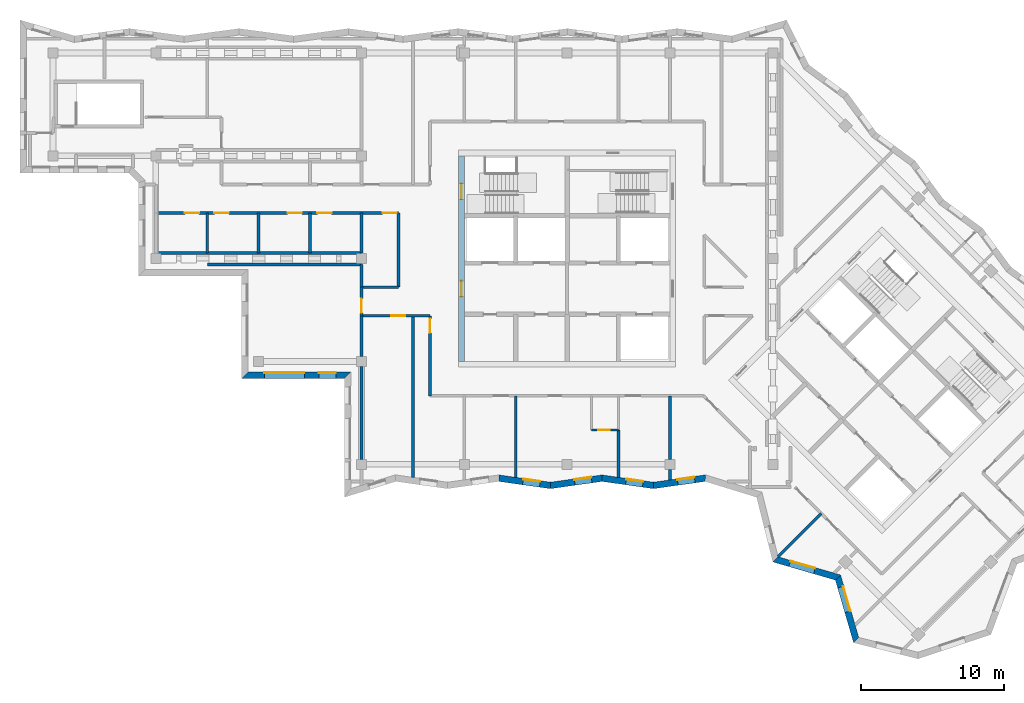
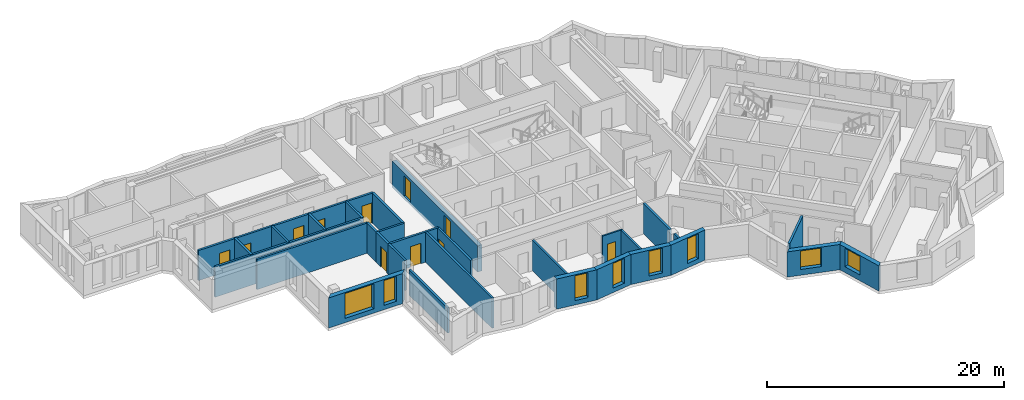
# One storey, part 3 of 12: 30 walls, 11 doors, 8 windows, 19 openings.
"""IFC4 building model written with IfcOpenShell, lengths in metres."""

from ifc_helpers import new_model, si_unit, direction, frame, frame_2d, origin, place, context, subcontext, project, spatial, polyline, rectangle, outline, extrude, material, layer, layer_set, type_object, element, fill, save


model = new_model("IFC4")

# Units and contexts
model_context = context("Model", 3, precision=1e-05, world=origin(), true_north=direction((0.0, 1.0)))
body_context = subcontext(model_context, "Body", "Model", "MODEL_VIEW")
ifc_project = project(units=[si_unit("LENGTHUNIT", "METRE"), si_unit("AREAUNIT", "SQUARE_METRE"), si_unit("VOLUMEUNIT", "CUBIC_METRE"), si_unit("PLANEANGLEUNIT", "RADIAN"), si_unit("MASSUNIT", "GRAM", prefix="KILO")], contexts=[model_context])

# Site, building, storey
site_placement = place(None, origin())
site = spatial("IfcSite", under=ifc_project, at=site_placement, CompositionType="ELEMENT")
building_placement = place(site_placement, origin())
building = spatial("IfcBuilding", under=site, at=building_placement, Name="Windrow Commons", CompositionType="ELEMENT")
storey_placement = place(building_placement, frame((0.0, 0.0, 267.6)))
storey = spatial("IfcBuildingStorey", under=building, at=storey_placement, Name="L73", CompositionType="ELEMENT", Elevation=267.6)

# Wall, openings, windows
ifc_material_1 = material(Name="Brick masonry, red clay brick", Category="masonry")
ifc_layer_1 = layer(ifc_material_1, 0.45)
ifc_layer_set_1 = layer_set([ifc_layer_1], Name="Brick facade wall 450")
wall_type_1 = type_object("IfcWallType", Name="Brick facade wall 450", PredefinedType="SOLIDWALL", material=ifc_layer_set_1)
wall_1_placement = place(storey_placement, frame((42.225, 49.425, 0.0), z_axis=(0.0, 0.0, 1.0), x_axis=(1.0, 0.0, 0.0)))
wall_1 = element("IfcWall", 1, at=wall_1_placement, inside=storey, type_object=wall_type_1, Name="Brick facade wall L73 37", PredefinedType="SOLIDWALL", context=body_context, shape_type="SweptSolid", body=[
    extrude(outline(polyline([(-0.225, -0.225), (6.975, -0.225), (7.425, 0.225), (0.225, 0.225), (-0.225, -0.225)])), origin(), (0.0, 0.0, 1.0), 3.1),
])
opening_1_placement = place(wall_1_placement, frame((1.375, 0.0, 0.45)))
opening_1 = element("IfcOpeningElement", 2, at=opening_1_placement, cuts=wall_1, Name="Opening W1V", PredefinedType="OPENING", context=body_context, shape_type="SweptSolid", body=[
    extrude(rectangle(XDim=2.8, YDim=2.55, at=frame_2d((1.4, 1.275))), frame((0.0, 0.235, 0.0), z_axis=(0.0, -1.0, 0.0), x_axis=(1.0, 0.0, 0.0)), (0.0, 0.0, 1.0), 0.47),
])
opening_2_placement = place(wall_1_placement, frame((5.1875, 0.0, 0.45)))
opening_2 = element("IfcOpeningElement", 3, at=opening_2_placement, cuts=wall_1, Name="Opening W7F", PredefinedType="OPENING", context=body_context, shape_type="SweptSolid", body=[
    extrude(rectangle(XDim=1.2, YDim=2.55, at=frame_2d((0.6, 1.275))), frame((0.0, 0.235, 0.0), z_axis=(0.0, -1.0, 0.0), x_axis=(1.0, 0.0, 0.0)), (0.0, 0.0, 1.0), 0.47),
])
ifc_material_2 = material(Name="Clear float glass in anodised aluminium frame", Category="aluminium")
window_type_1 = type_object("IfcWindowType", Name="Window W1V bedroom 2800x2550", PartitioningType="SINGLE_PANEL", PredefinedType="WINDOW", material=ifc_material_2)
window_1_placement = place(opening_1_placement, origin())
window_1 = element("IfcWindow", 4, at=window_1_placement, inside=storey, type_object=window_type_1, Name="Window L73 37.1", OverallHeight=2.55, OverallWidth=2.8, PartitioningType="SINGLE_PANEL", PredefinedType="WINDOW", context=body_context, shape_type="SweptSolid", body=[
    extrude(rectangle(XDim=2.8, YDim=2.55, at=frame_2d((1.4, 1.275))), frame((0.0, 0.205, 0.0), z_axis=(0.0, -1.0, 0.0), x_axis=(1.0, 0.0, 0.0)), (0.0, 0.0, 1.0), 0.06),
])
fill(opening_1, window_1)
ifc_material_3 = material(Name="Clear float glass in anodised aluminium frame", Category="aluminium")
window_type_2 = type_object("IfcWindowType", Name="Window W7 notch 1200x2550", PartitioningType="SINGLE_PANEL", PredefinedType="WINDOW", material=ifc_material_3)
window_2_placement = place(opening_2_placement, origin())
window_2 = element("IfcWindow", 5, at=window_2_placement, inside=storey, type_object=window_type_2, Name="Window L73 37.2", OverallHeight=2.55, OverallWidth=1.2, PartitioningType="SINGLE_PANEL", PredefinedType="WINDOW", context=body_context, shape_type="SweptSolid", body=[
    extrude(rectangle(XDim=1.2, YDim=2.55, at=frame_2d((0.6, 1.275))), frame((0.0, 0.205, 0.0), z_axis=(0.0, -1.0, 0.0), x_axis=(1.0, 0.0, 0.0)), (0.0, 0.0, 1.0), 0.06),
])
fill(opening_2, window_2)

# Wall, opening, window
wall_2_placement = place(storey_placement, frame((60.0255, 42.2273, 0.0), z_axis=(0.0, 0.0, 1.0), x_axis=(0.9900829488, -0.1404840012, 0.0)))
wall_2 = element("IfcWall", 6, at=wall_2_placement, inside=storey, type_object=wall_type_1, Name="Brick facade wall L73 42", PredefinedType="SOLIDWALL", context=body_context, shape_type="SweptSolid", body=[
    extrude(outline(polyline([(0.0319, -0.225), (3.6766, -0.225), (3.6127, 0.225), (-0.0319, 0.225), (0.0319, -0.225)])), origin(), (0.0, 0.0, 1.0), 3.1),
])
opening_3_placement = place(wall_2_placement, frame((1.6995, 0.0, 0.45)))
opening_3 = element("IfcOpeningElement", 7, at=opening_3_placement, cuts=wall_2, Name="Opening W7F", PredefinedType="OPENING", context=body_context, shape_type="SweptSolid", body=[
    extrude(rectangle(XDim=1.2, YDim=2.55, at=frame_2d((0.6, 1.275))), frame((0.0, 0.235, 0.0), z_axis=(0.0, -1.0, 0.0), x_axis=(1.0, 0.0, 0.0)), (0.0, 0.0, 1.0), 0.47),
])
window_3_placement = place(opening_3_placement, origin())
window_3 = element("IfcWindow", 8, at=window_3_placement, inside=storey, type_object=window_type_2, Name="Window L73 42.1", OverallHeight=2.55, OverallWidth=1.2, PartitioningType="SINGLE_PANEL", PredefinedType="WINDOW", context=body_context, shape_type="SweptSolid", body=[
    extrude(rectangle(XDim=1.2, YDim=2.55, at=frame_2d((0.6, 1.275))), frame((0.0, 0.205, 0.0), z_axis=(0.0, -1.0, 0.0), x_axis=(1.0, 0.0, 0.0)), (0.0, 0.0, 1.0), 0.06),
])
fill(opening_3, window_3)

wall_3_placement = place(storey_placement, frame((63.6339, 41.7153, 0.0), z_axis=(0.0, 0.0, 1.0), x_axis=(0.9900834903, 0.1404801848, 0.0)))
wall_3 = element("IfcWall", 9, at=wall_3_placement, inside=storey, type_object=wall_type_1, Name="Brick facade wall L73 43", PredefinedType="SOLIDWALL", context=body_context, shape_type="SweptSolid", body=[
    extrude(outline(polyline([(-0.0319, -0.225), (3.6127, -0.225), (3.6766, 0.225), (0.0319, 0.225), (-0.0319, -0.225)])), origin(), (0.0, 0.0, 1.0), 3.1),
])
opening_4_placement = place(wall_3_placement, frame((1.7112, 0.0, 0.45)))
opening_4 = element("IfcOpeningElement", 10, at=opening_4_placement, cuts=wall_3, Name="Opening W7F", PredefinedType="OPENING", context=body_context, shape_type="SweptSolid", body=[
    extrude(rectangle(XDim=1.2, YDim=2.55, at=frame_2d((0.6, 1.275))), frame((0.0, 0.235, 0.0), z_axis=(0.0, -1.0, 0.0), x_axis=(1.0, 0.0, 0.0)), (0.0, 0.0, 1.0), 0.47),
])
window_4_placement = place(opening_4_placement, origin())
window_4 = element("IfcWindow", 11, at=window_4_placement, inside=storey, type_object=window_type_2, Name="Window L73 43.1", OverallHeight=2.55, OverallWidth=1.2, PartitioningType="SINGLE_PANEL", PredefinedType="WINDOW", context=body_context, shape_type="SweptSolid", body=[
    extrude(rectangle(XDim=1.2, YDim=2.55, at=frame_2d((0.6, 1.275))), frame((0.0, 0.205, 0.0), z_axis=(0.0, -1.0, 0.0), x_axis=(1.0, 0.0, 0.0)), (0.0, 0.0, 1.0), 0.06),
])
fill(opening_4, window_4)

wall_4_placement = place(storey_placement, frame((67.2424, 42.2273, 0.0), z_axis=(0.0, 0.0, 1.0), x_axis=(0.9900834903, -0.1404801848, 0.0)))
wall_4 = element("IfcWall", 12, at=wall_4_placement, inside=storey, type_object=wall_type_1, Name="Brick facade wall L73 44", PredefinedType="SOLIDWALL", context=body_context, shape_type="SweptSolid", body=[
    extrude(outline(polyline([(0.0319, -0.225), (3.6766, -0.225), (3.6127, 0.225), (-0.0319, 0.225), (0.0319, -0.225)])), origin(), (0.0, 0.0, 1.0), 3.1),
])
opening_5_placement = place(wall_4_placement, frame((1.6909, 0.0, 0.45)))
opening_5 = element("IfcOpeningElement", 13, at=opening_5_placement, cuts=wall_4, Name="Opening W7F", PredefinedType="OPENING", context=body_context, shape_type="SweptSolid", body=[
    extrude(rectangle(XDim=1.2, YDim=2.55, at=frame_2d((0.6, 1.275))), frame((0.0, 0.235, 0.0), z_axis=(0.0, -1.0, 0.0), x_axis=(1.0, 0.0, 0.0)), (0.0, 0.0, 1.0), 0.47),
])
window_5_placement = place(opening_5_placement, origin())
window_5 = element("IfcWindow", 14, at=window_5_placement, inside=storey, type_object=window_type_2, Name="Window L73 44.1", OverallHeight=2.55, OverallWidth=1.2, PartitioningType="SINGLE_PANEL", PredefinedType="WINDOW", context=body_context, shape_type="SweptSolid", body=[
    extrude(rectangle(XDim=1.2, YDim=2.55, at=frame_2d((0.6, 1.275))), frame((0.0, 0.205, 0.0), z_axis=(0.0, -1.0, 0.0), x_axis=(1.0, 0.0, 0.0)), (0.0, 0.0, 1.0), 0.06),
])
fill(opening_5, window_5)

wall_5_placement = place(storey_placement, frame((70.8509, 41.7153, 0.0), z_axis=(0.0, 0.0, 1.0), x_axis=(0.9900866168, 0.1404581477, 0.0)))
wall_5 = element("IfcWall", 15, at=wall_5_placement, inside=storey, type_object=wall_type_1, Name="Brick facade wall L73 45", PredefinedType="SOLIDWALL", context=body_context, shape_type="SweptSolid", body=[
    extrude(outline(polyline([(-0.0319, -0.225), (3.6127, -0.225), (3.7133, 0.225), (0.0319, 0.225), (-0.0319, -0.225)])), origin(), (0.0, 0.0, 1.0), 3.1),
])
opening_6_placement = place(wall_5_placement, frame((1.7118, 0.0, 0.45)))
opening_6 = element("IfcOpeningElement", 16, at=opening_6_placement, cuts=wall_5, Name="Opening W7F", PredefinedType="OPENING", context=body_context, shape_type="SweptSolid", body=[
    extrude(rectangle(XDim=1.2, YDim=2.55, at=frame_2d((0.6, 1.275))), frame((0.0, 0.235, 0.0), z_axis=(0.0, -1.0, 0.0), x_axis=(1.0, 0.0, 0.0)), (0.0, 0.0, 1.0), 0.47),
])
window_6_placement = place(opening_6_placement, origin())
window_6 = element("IfcWindow", 17, at=window_6_placement, inside=storey, type_object=window_type_2, Name="Window L73 45.1", OverallHeight=2.55, OverallWidth=1.2, PartitioningType="SINGLE_PANEL", PredefinedType="WINDOW", context=body_context, shape_type="SweptSolid", body=[
    extrude(rectangle(XDim=1.2, YDim=2.55, at=frame_2d((0.6, 1.275))), frame((0.0, 0.205, 0.0), z_axis=(0.0, -1.0, 0.0), x_axis=(1.0, 0.0, 0.0)), (0.0, 0.0, 1.0), 0.06),
])
fill(opening_6, window_6)

wall_6_placement = place(storey_placement, frame((79.3864, 36.5424, 0.0), z_axis=(0.0, 0.0, 1.0), x_axis=(0.9603399755, -0.278831726, 0.0)))
wall_6 = element("IfcWall", 18, at=wall_6_placement, inside=storey, type_object=wall_type_1, Name="Brick facade wall L73 48", PredefinedType="SOLIDWALL", context=body_context, shape_type="SweptSolid", body=[
    extrude(outline(polyline([(-0.1293, -0.225), (4.436, -0.225), (4.6835, 0.225), (0.1293, 0.225), (-0.1293, -0.225)])), origin(), (0.0, 0.0, 1.0), 2.6),
])
opening_7_placement = place(wall_6_placement, frame((1.042, 0.0, 0.6)))
opening_7 = element("IfcOpeningElement", 19, at=opening_7_placement, cuts=wall_6, Name="Opening W1L", PredefinedType="OPENING", context=body_context, shape_type="SweptSolid", body=[
    extrude(rectangle(XDim=1.8, YDim=1.9, at=frame_2d((0.9, 0.95))), frame((0.0, 0.235, 0.0), z_axis=(0.0, -1.0, 0.0), x_axis=(1.0, 0.0, 0.0)), (0.0, 0.0, 1.0), 0.47),
])
ifc_material_4 = material(Name="Clear float glass in anodised aluminium frame", Category="aluminium")
window_type_3 = type_object("IfcWindowType", Name="Window W1L bedroom 1800x1900", PartitioningType="SINGLE_PANEL", PredefinedType="WINDOW", material=ifc_material_4)
window_7_placement = place(opening_7_placement, origin())
window_7 = element("IfcWindow", 20, at=window_7_placement, inside=storey, type_object=window_type_3, Name="Window L73 48.1", OverallHeight=1.9, OverallWidth=1.8, PartitioningType="SINGLE_PANEL", PredefinedType="WINDOW", context=body_context, shape_type="SweptSolid", body=[
    extrude(rectangle(XDim=1.8, YDim=1.9, at=frame_2d((0.9, 0.95))), frame((0.0, 0.205, 0.0), z_axis=(0.0, -1.0, 0.0), x_axis=(1.0, 0.0, 0.0)), (0.0, 0.0, 1.0), 0.06),
])
fill(opening_7, window_7)

wall_7_placement = place(storey_placement, frame((83.7653, 35.271, 0.0), z_axis=(0.0, 0.0, 1.0), x_axis=(0.278831726, -0.9603399755, 0.0)))
wall_7 = element("IfcWall", 21, at=wall_7_placement, inside=storey, type_object=wall_type_1, Name="Brick facade wall L73 49", PredefinedType="SOLIDWALL", context=body_context, shape_type="SweptSolid", body=[
    extrude(outline(polyline([(0.1237, -0.225), (4.689, -0.225), (4.4304, 0.225), (-0.1237, 0.225), (0.1237, -0.225)])), origin(), (0.0, 0.0, 1.0), 2.6),
])
opening_8_placement = place(wall_7_placement, frame((0.6948, 0.0, 0.6)))
opening_8 = element("IfcOpeningElement", 22, at=opening_8_placement, cuts=wall_7, Name="Opening W1L", PredefinedType="OPENING", context=body_context, shape_type="SweptSolid", body=[
    extrude(rectangle(XDim=1.8, YDim=1.9, at=frame_2d((0.9, 0.95))), frame((0.0, 0.235, 0.0), z_axis=(0.0, -1.0, 0.0), x_axis=(1.0, 0.0, 0.0)), (0.0, 0.0, 1.0), 0.47),
])
window_8_placement = place(opening_8_placement, origin())
window_8 = element("IfcWindow", 23, at=window_8_placement, inside=storey, type_object=window_type_3, Name="Window L73 49.1", OverallHeight=1.9, OverallWidth=1.8, PartitioningType="SINGLE_PANEL", PredefinedType="WINDOW", context=body_context, shape_type="SweptSolid", body=[
    extrude(rectangle(XDim=1.8, YDim=1.9, at=frame_2d((0.9, 0.95))), frame((0.0, 0.205, 0.0), z_axis=(0.0, -1.0, 0.0), x_axis=(1.0, 0.0, 0.0)), (0.0, 0.0, 1.0), 0.06),
])
fill(opening_8, window_8)

# Wall, openings, doors
ifc_material_5 = material(Name="Blockwork partition", Category="masonry")
ifc_layer_2 = layer(ifc_material_5, 0.2)
ifc_layer_set_2 = layer_set([ifc_layer_2], Name="IW-CORRIDOR-200")
wall_type_2 = type_object("IfcWallType", Name="IW-CORRIDOR-200", PredefinedType="PARTITIONING", material=ifc_layer_set_2)
wall_8_placement = place(storey_placement, frame((36.0, 60.8, 0.0), z_axis=(0.0, 0.0, 1.0), x_axis=(1.0, 0.0, 0.0)))
wall_8 = element("IfcWall", 24, at=wall_8_placement, inside=storey, type_object=wall_type_2, Name="W-L73-W002", PredefinedType="PARTITIONING", context=body_context, shape_type="SweptSolid", body=[
    extrude(rectangle(XDim=17.0, YDim=0.2, at=frame_2d((8.5, 0.0))), origin(), (0.0, 0.0, 1.0), 3.1),
])
opening_9_placement = place(wall_8_placement, frame((2.0325, 0.0, 0.0)))
opening_9 = element("IfcOpeningElement", 25, at=opening_9_placement, cuts=wall_8, Name="Opening D310F", PredefinedType="OPENING", context=body_context, shape_type="SweptSolid", body=[
    extrude(rectangle(XDim=1.0, YDim=2.1, at=frame_2d((0.5, 1.05))), frame((0.0, 0.11, 0.0), z_axis=(0.0, -1.0, 0.0), x_axis=(1.0, 0.0, 0.0)), (0.0, 0.0, 1.0), 0.22),
])
opening_10_placement = place(wall_8_placement, frame((4.1075, 0.0, 0.0)))
opening_10 = element("IfcOpeningElement", 26, at=opening_10_placement, cuts=wall_8, Name="Opening D410F", PredefinedType="OPENING", context=body_context, shape_type="SweptSolid", body=[
    extrude(rectangle(XDim=1.0, YDim=2.1, at=frame_2d((0.5, 1.05))), frame((0.0, 0.11, 0.0), z_axis=(0.0, -1.0, 0.0), x_axis=(1.0, 0.0, 0.0)), (0.0, 0.0, 1.0), 0.22),
])
opening_11_placement = place(wall_8_placement, frame((9.2325, 0.0, 0.0)))
opening_11 = element("IfcOpeningElement", 27, at=opening_11_placement, cuts=wall_8, Name="Opening D410F", PredefinedType="OPENING", context=body_context, shape_type="SweptSolid", body=[
    extrude(rectangle(XDim=1.0, YDim=2.1, at=frame_2d((0.5, 1.05))), frame((0.0, 0.11, 0.0), z_axis=(0.0, -1.0, 0.0), x_axis=(1.0, 0.0, 0.0)), (0.0, 0.0, 1.0), 0.22),
])
opening_12_placement = place(wall_8_placement, frame((11.3075, 0.0, 0.0)))
opening_12 = element("IfcOpeningElement", 28, at=opening_12_placement, cuts=wall_8, Name="Opening D310F", PredefinedType="OPENING", context=body_context, shape_type="SweptSolid", body=[
    extrude(rectangle(XDim=1.0, YDim=2.1, at=frame_2d((0.5, 1.05))), frame((0.0, 0.11, 0.0), z_axis=(0.0, -1.0, 0.0), x_axis=(1.0, 0.0, 0.0)), (0.0, 0.0, 1.0), 0.22),
])
opening_13_placement = place(wall_8_placement, frame((15.8741, 0.0, 0.0)))
opening_13 = element("IfcOpeningElement", 29, at=opening_13_placement, cuts=wall_8, Name="Opening D310F", PredefinedType="OPENING", context=body_context, shape_type="SweptSolid", body=[
    extrude(rectangle(XDim=1.0, YDim=2.1, at=frame_2d((0.5, 1.05))), frame((0.0, 0.11, 0.0), z_axis=(0.0, -1.0, 0.0), x_axis=(1.0, 0.0, 0.0)), (0.0, 0.0, 1.0), 0.22),
])
ifc_material_6 = material(Name="Timber door leaf", Category="wood")
door_type_1 = type_object("IfcDoorType", Name="DT-AMENITY-1000", OperationType="SINGLE_SWING_LEFT", PredefinedType="DOOR", material=ifc_material_6)
door_1_placement = place(opening_9_placement, origin())
door_1 = element("IfcDoor", 30, at=door_1_placement, inside=storey, type_object=door_type_1, Name="D-L73-D001", OperationType="SINGLE_SWING_LEFT", OverallHeight=2.1, OverallWidth=1.0, PredefinedType="DOOR", context=body_context, shape_type="SweptSolid", body=[
    extrude(rectangle(XDim=1.0, YDim=2.1, at=frame_2d((0.5, 1.05))), frame((0.0, 0.025, 0.0), z_axis=(0.0, -1.0, 0.0), x_axis=(1.0, 0.0, 0.0)), (0.0, 0.0, 1.0), 0.05),
])
fill(opening_9, door_1)
door_2_placement = place(opening_12_placement, origin())
door_2 = element("IfcDoor", 31, at=door_2_placement, inside=storey, type_object=door_type_1, Name="D-L73-D004", OperationType="SINGLE_SWING_RIGHT", OverallHeight=2.1, OverallWidth=1.0, PredefinedType="DOOR", context=body_context, shape_type="SweptSolid", body=[
    extrude(rectangle(XDim=1.0, YDim=2.1, at=frame_2d((0.5, 1.05))), frame((0.0, 0.025, 0.0), z_axis=(0.0, -1.0, 0.0), x_axis=(1.0, 0.0, 0.0)), (0.0, 0.0, 1.0), 0.05),
])
fill(opening_12, door_2)
door_3_placement = place(opening_13_placement, origin())
door_3 = element("IfcDoor", 32, at=door_3_placement, inside=storey, type_object=door_type_1, Name="D-L73-D008", OperationType="SINGLE_SWING_LEFT", OverallHeight=2.1, OverallWidth=1.0, PredefinedType="DOOR", context=body_context, shape_type="SweptSolid", body=[
    extrude(rectangle(XDim=1.0, YDim=2.1, at=frame_2d((0.5, 1.05))), frame((0.0, 0.025, 0.0), z_axis=(0.0, -1.0, 0.0), x_axis=(1.0, 0.0, 0.0)), (0.0, 0.0, 1.0), 0.05),
])
fill(opening_13, door_3)
ifc_material_7 = material(Name="Timber door leaf", Category="wood")
door_type_2 = type_object("IfcDoorType", Name="DT-SERVICE-1000", OperationType="SINGLE_SWING_LEFT", PredefinedType="DOOR", material=ifc_material_7)
door_4_placement = place(opening_10_placement, origin())
door_4 = element("IfcDoor", 33, at=door_4_placement, inside=storey, type_object=door_type_2, Name="D-L73-D002", OperationType="SINGLE_SWING_RIGHT", OverallHeight=2.1, OverallWidth=1.0, PredefinedType="DOOR", context=body_context, shape_type="SweptSolid", body=[
    extrude(rectangle(XDim=1.0, YDim=2.1, at=frame_2d((0.5, 1.05))), frame((0.0, 0.025, 0.0), z_axis=(0.0, -1.0, 0.0), x_axis=(1.0, 0.0, 0.0)), (0.0, 0.0, 1.0), 0.05),
])
fill(opening_10, door_4)
door_5_placement = place(opening_11_placement, origin())
door_5 = element("IfcDoor", 34, at=door_5_placement, inside=storey, type_object=door_type_2, Name="D-L73-D003", OperationType="SINGLE_SWING_LEFT", OverallHeight=2.1, OverallWidth=1.0, PredefinedType="DOOR", context=body_context, shape_type="SweptSolid", body=[
    extrude(rectangle(XDim=1.0, YDim=2.1, at=frame_2d((0.5, 1.05))), frame((0.0, 0.025, 0.0), z_axis=(0.0, -1.0, 0.0), x_axis=(1.0, 0.0, 0.0)), (0.0, 0.0, 1.0), 0.05),
])
fill(opening_11, door_5)

# Wall, opening, door
wall_9_placement = place(storey_placement, frame((55.2, 48.0, 0.0), z_axis=(0.0, 0.0, 1.0), x_axis=(0.0, 1.0, 0.0)))
wall_9 = element("IfcWall", 35, at=wall_9_placement, inside=storey, type_object=wall_type_2, Name="W-L73-W029", PredefinedType="PARTITIONING", context=body_context, shape_type="SweptSolid", body=[
    extrude(rectangle(XDim=5.6, YDim=0.2, at=frame_2d((2.8, 0.0))), origin(), (0.0, 0.0, 1.0), 3.1),
])
opening_14_placement = place(wall_9_placement, frame((4.4058, 0.0, 0.0)))
opening_14 = element("IfcOpeningElement", 36, at=opening_14_placement, cuts=wall_9, Name="Opening D310F", PredefinedType="OPENING", context=body_context, shape_type="SweptSolid", body=[
    extrude(rectangle(XDim=1.0, YDim=2.1, at=frame_2d((0.5, 1.05))), frame((0.0, 0.11, 0.0), z_axis=(0.0, -1.0, 0.0), x_axis=(1.0, 0.0, 0.0)), (0.0, 0.0, 1.0), 0.22),
])
door_6_placement = place(opening_14_placement, origin())
door_6 = element("IfcDoor", 37, at=door_6_placement, inside=storey, type_object=door_type_1, Name="D-L73-D007", OperationType="SINGLE_SWING_RIGHT", OverallHeight=2.1, OverallWidth=1.0, PredefinedType="DOOR", context=body_context, shape_type="SweptSolid", body=[
    extrude(rectangle(XDim=1.0, YDim=2.1, at=frame_2d((0.5, 1.05))), frame((0.0, 0.025, 0.0), z_axis=(0.0, -1.0, 0.0), x_axis=(1.0, 0.0, 0.0)), (0.0, 0.0, 1.0), 0.05),
])
fill(opening_14, door_6)

# Wall
wall_10_placement = place(storey_placement, frame((53.0, 55.602, 0.0), z_axis=(0.0, 0.0, 1.0), x_axis=(0.0, 1.0, 0.0)))
element("IfcWall", 38, at=wall_10_placement, inside=storey, type_object=wall_type_2, Name="W-L73-W033", PredefinedType="PARTITIONING", context=body_context, shape_type="SweptSolid", body=[
    extrude(rectangle(XDim=5.198, YDim=0.2, at=frame_2d((2.599, 0.0))), origin(), (0.0, 0.0, 1.0), 3.1),
])

# Wall, opening, door
wall_11_placement = place(storey_placement, frame((50.4, 53.6, 0.0), z_axis=(0.0, 0.0, 1.0), x_axis=(1.0, 0.0, 0.0)))
wall_11 = element("IfcWall", 39, at=wall_11_placement, inside=storey, type_object=wall_type_2, Name="W-L73-W034", PredefinedType="PARTITIONING", context=body_context, shape_type="SweptSolid", body=[
    extrude(rectangle(XDim=4.8, YDim=0.2, at=frame_2d((2.4, 0.0))), origin(), (0.0, 0.0, 1.0), 3.1),
])
opening_15_placement = place(wall_11_placement, frame((2.075, 0.0, 0.0)))
opening_15 = element("IfcOpeningElement", 40, at=opening_15_placement, cuts=wall_11, Name="Opening D310F", PredefinedType="OPENING", context=body_context, shape_type="SweptSolid", body=[
    extrude(rectangle(XDim=1.0, YDim=2.1, at=frame_2d((0.5, 1.05))), frame((0.0, 0.11, 0.0), z_axis=(0.0, -1.0, 0.0), x_axis=(1.0, 0.0, 0.0)), (0.0, 0.0, 1.0), 0.22),
])
door_7_placement = place(opening_15_placement, origin())
door_7 = element("IfcDoor", 41, at=door_7_placement, inside=storey, type_object=door_type_1, Name="D-L73-D006", OperationType="SINGLE_SWING_LEFT", OverallHeight=2.1, OverallWidth=1.0, PredefinedType="DOOR", context=body_context, shape_type="SweptSolid", body=[
    extrude(rectangle(XDim=1.0, YDim=2.1, at=frame_2d((0.5, 1.05))), frame((0.0, 0.025, 0.0), z_axis=(0.0, -1.0, 0.0), x_axis=(1.0, 0.0, 0.0)), (0.0, 0.0, 1.0), 0.05),
])
fill(opening_15, door_7)

# Wall
wall_12_placement = place(storey_placement, frame((50.4, 55.6, 0.0), z_axis=(0.0, 0.0, 1.0), x_axis=(1.0, 0.0, 0.0)))
element("IfcWall", 42, at=wall_12_placement, inside=storey, type_object=wall_type_2, Name="W-L73-W073", PredefinedType="PARTITIONING", context=body_context, shape_type="SweptSolid", body=[
    extrude(rectangle(XDim=2.6, YDim=0.2, at=frame_2d((1.3, 0.0))), origin(), (0.0, 0.0, 1.0), 3.1),
])

# Wall, opening, door
wall_13_placement = place(storey_placement, frame((50.4, 53.6, 0.0), z_axis=(0.0, 0.0, 1.0), x_axis=(0.0, 1.0, 0.0)))
wall_13 = element("IfcWall", 43, at=wall_13_placement, inside=storey, type_object=wall_type_2, Name="W-L73-W090", PredefinedType="PARTITIONING", context=body_context, shape_type="SweptSolid", body=[
    extrude(rectangle(XDim=2.0, YDim=0.2, at=frame_2d((1.0, 0.0))), origin(), (0.0, 0.0, 1.0), 3.1),
])
opening_16_placement = place(wall_13_placement, frame((0.1971, 0.0, 0.0)))
opening_16 = element("IfcOpeningElement", 44, at=opening_16_placement, cuts=wall_13, Name="Opening D310F", PredefinedType="OPENING", context=body_context, shape_type="SweptSolid", body=[
    extrude(rectangle(XDim=1.0, YDim=2.1, at=frame_2d((0.5, 1.05))), frame((0.0, 0.11, 0.0), z_axis=(0.0, -1.0, 0.0), x_axis=(1.0, 0.0, 0.0)), (0.0, 0.0, 1.0), 0.22),
])
door_8_placement = place(opening_16_placement, origin())
door_8 = element("IfcDoor", 45, at=door_8_placement, inside=storey, type_object=door_type_1, Name="D-L73-D005", OperationType="SINGLE_SWING_LEFT", OverallHeight=2.1, OverallWidth=1.0, PredefinedType="DOOR", context=body_context, shape_type="SweptSolid", body=[
    extrude(rectangle(XDim=1.0, YDim=2.1, at=frame_2d((0.5, 1.05))), frame((0.0, 0.025, 0.0), z_axis=(0.0, -1.0, 0.0), x_axis=(1.0, 0.0, 0.0)), (0.0, 0.0, 1.0), 0.05),
])
fill(opening_16, door_8)

ifc_material_8 = material(Name="Blockwork partition", Category="masonry")
ifc_layer_3 = layer(ifc_material_8, 0.15)
ifc_layer_set_3 = layer_set([ifc_layer_3], Name="IW-ENSUITE-150")
wall_type_3 = type_object("IfcWallType", Name="IW-ENSUITE-150", PredefinedType="PARTITIONING", material=ifc_layer_set_3)
wall_14_placement = place(storey_placement, frame((66.5, 45.6, 0.0), z_axis=(0.0, 0.0, 1.0), x_axis=(1.0, 0.0, 0.0)))
wall_14 = element("IfcWall", 46, at=wall_14_placement, inside=storey, type_object=wall_type_3, Name="W-L73-W094", PredefinedType="PARTITIONING", context=body_context, shape_type="SweptSolid", body=[
    extrude(rectangle(XDim=1.9, YDim=0.15, at=frame_2d((0.95, 0.0))), origin(), (0.0, 0.0, 1.0), 3.1),
])
opening_17_placement = place(wall_14_placement, frame((0.4931, 0.0, 0.0)))
opening_17 = element("IfcOpeningElement", 47, at=opening_17_placement, cuts=wall_14, Name="Opening D208N", PredefinedType="OPENING", context=body_context, shape_type="SweptSolid", body=[
    extrude(rectangle(XDim=0.8, YDim=2.1, at=frame_2d((0.4, 1.05))), frame((0.0, 0.085, 0.0), z_axis=(0.0, -1.0, 0.0), x_axis=(1.0, 0.0, 0.0)), (0.0, 0.0, 1.0), 0.17),
])
ifc_material_9 = material(Name="Timber door leaf", Category="wood")
door_type_3 = type_object("IfcDoorType", Name="DT-ENSUITE-800", OperationType="SINGLE_SWING_LEFT", PredefinedType="DOOR", material=ifc_material_9)
door_9_placement = place(opening_17_placement, origin())
door_9 = element("IfcDoor", 48, at=door_9_placement, inside=storey, type_object=door_type_3, Name="D-L73-D011", OperationType="SINGLE_SWING_RIGHT", OverallHeight=2.1, OverallWidth=0.8, PredefinedType="DOOR", context=body_context, shape_type="SweptSolid", body=[
    extrude(rectangle(XDim=0.8, YDim=2.1, at=frame_2d((0.4, 1.05))), frame((0.0, 0.025, 0.0), z_axis=(0.0, -1.0, 0.0), x_axis=(1.0, 0.0, 0.0)), (0.0, 0.0, 1.0), 0.05),
])
fill(opening_17, door_9)

# Walls
ifc_material_10 = material(Name="Blockwork partition", Category="masonry")
ifc_layer_4 = layer(ifc_material_10, 0.2)
ifc_layer_set_4 = layer_set([ifc_layer_4], Name="IW-PARTY-200")
wall_type_4 = type_object("IfcWallType", Name="IW-PARTY-200", PredefinedType="PARTITIONING", material=ifc_layer_set_4)
wall_15_placement = place(storey_placement, frame((36.0, 58.0, 0.0), z_axis=(0.0, 0.0, 1.0), x_axis=(1.0, 0.0, 0.0)))
element("IfcWall", 49, at=wall_15_placement, inside=storey, type_object=wall_type_4, Name="W-L73-W004", PredefinedType="PARTITIONING", context=body_context, shape_type="SweptSolid", body=[
    extrude(rectangle(XDim=14.4, YDim=0.2, at=frame_2d((7.2, 0.0))), origin(), (0.0, 0.0, 1.0), 3.1),
])
wall_16_placement = place(storey_placement, frame((54.0, 42.2854, 0.0), z_axis=(0.0, 0.0, 1.0), x_axis=(0.0, 1.0, 0.0)))
element("IfcWall", 50, at=wall_16_placement, inside=storey, type_object=wall_type_4, Name="W-L73-W010", PredefinedType="PARTITIONING", context=body_context, shape_type="SweptSolid", body=[
    extrude(rectangle(XDim=11.3146, YDim=0.2, at=frame_2d((5.6573, 0.0))), origin(), (0.0, 0.0, 1.0), 3.1),
])
wall_17_placement = place(storey_placement, frame((39.6, 57.2, 0.0), z_axis=(0.0, 0.0, 1.0), x_axis=(1.0, 0.0, 0.0)))
element("IfcWall", 51, at=wall_17_placement, inside=storey, type_object=wall_type_4, Name="W-L73-W011", PredefinedType="PARTITIONING", context=body_context, shape_type="SweptSolid", body=[
    extrude(rectangle(XDim=10.8, YDim=0.2, at=frame_2d((5.4, 0.0))), origin(), (0.0, 0.0, 1.0), 3.1),
])
wall_18_placement = place(storey_placement, frame((50.4, 43.55, 0.0), z_axis=(0.0, 0.0, 1.0), x_axis=(0.0, 1.0, 0.0)))
element("IfcWall", 52, at=wall_18_placement, inside=storey, type_object=wall_type_4, Name="W-L73-W023", PredefinedType="PARTITIONING", context=body_context, shape_type="SweptSolid", body=[
    extrude(rectangle(XDim=6.5, YDim=0.2, at=frame_2d((3.25, 0.0))), origin(), (0.0, 0.0, 1.0), 2.6),
])
wall_19_placement = place(storey_placement, frame((61.2, 42.2879, 0.0), z_axis=(0.0, 0.0, 1.0), x_axis=(0.0, 1.0, 0.0)))
element("IfcWall", 53, at=wall_19_placement, inside=storey, type_object=wall_type_4, Name="W-L73-W028", PredefinedType="PARTITIONING", context=body_context, shape_type="SweptSolid", body=[
    extrude(rectangle(XDim=5.7121, YDim=0.2, at=frame_2d((2.8561, 0.0))), origin(), (0.0, 0.0, 1.0), 3.1),
])
wall_20_placement = place(storey_placement, frame((72.0, 43.55, 0.0), z_axis=(0.0, 0.0, 1.0), x_axis=(0.0, 1.0, 0.0)))
element("IfcWall", 54, at=wall_20_placement, inside=storey, type_object=wall_type_4, Name="W-L73-W041", PredefinedType="PARTITIONING", context=body_context, shape_type="SweptSolid", body=[
    extrude(rectangle(XDim=4.45, YDim=0.2, at=frame_2d((2.225, 0.0))), origin(), (0.0, 0.0, 1.0), 3.1),
])
wall_21_placement = place(storey_placement, frame((79.5704, 36.7339, 0.0), z_axis=(0.0, 0.0, 1.0), x_axis=(0.7071184771, 0.7070950851, 0.0)))
element("IfcWall", 55, at=wall_21_placement, inside=storey, type_object=wall_type_4, Name="W-L73-W047", PredefinedType="PARTITIONING", context=body_context, shape_type="SweptSolid", body=[
    extrude(rectangle(XDim=4.275, YDim=0.2, at=frame_2d((2.1375, 0.0))), origin(), (0.0, 0.0, 1.0), 3.1),
])
wall_22_placement = place(storey_placement, frame((68.4, 42.2903, 0.0), z_axis=(0.0, 0.0, 1.0), x_axis=(0.0, 1.0, 0.0)))
element("IfcWall", 56, at=wall_22_placement, inside=storey, type_object=wall_type_4, Name="W-L73-W059", PredefinedType="PARTITIONING", context=body_context, shape_type="SweptSolid", body=[
    extrude(rectangle(XDim=3.3097, YDim=0.2, at=frame_2d((1.6548, 0.0))), origin(), (0.0, 0.0, 1.0), 3.1),
])
wall_23_placement = place(storey_placement, frame((50.4, 50.75, 0.0), z_axis=(0.0, 0.0, 1.0), x_axis=(0.0, 1.0, 0.0)))
element("IfcWall", 57, at=wall_23_placement, inside=storey, type_object=wall_type_4, Name="W-L73-W063", PredefinedType="PARTITIONING", context=body_context, shape_type="SweptSolid", body=[
    extrude(rectangle(XDim=2.85, YDim=0.2, at=frame_2d((1.425, 0.0))), origin(), (0.0, 0.0, 1.0), 3.1),
])
for number, where, z_axis, x_axis, name in (
    (58, (39.6, 58.0, 0.0), (0.0, 0.0, 1.0), (0.0, 1.0, 0.0), "W-L73-W065"),
    (59, (43.2, 58.0, 0.0), (0.0, 0.0, 1.0), (0.0, 1.0, 0.0), "W-L73-W066"),
    (60, (46.8, 58.0, 0.0), (0.0, 0.0, 1.0), (0.0, 1.0, 0.0), "W-L73-W067"),
    (61, (50.4, 58.0, 0.0), (0.0, 0.0, 1.0), (0.0, 1.0, 0.0), "W-L73-W068"),
):
    element("IfcWall", number, at=place(storey_placement, frame(where, z_axis=z_axis, x_axis=x_axis)), inside=storey, type_object=wall_type_4, Name=name, PredefinedType="PARTITIONING", context=body_context, shape_type="SweptSolid", body=[
        extrude(rectangle(XDim=2.8, YDim=0.2, at=frame_2d((1.4, 0.0))), origin(), (0.0, 0.0, 1.0), 3.1),
    ])
wall_24_placement = place(storey_placement, frame((50.4, 55.6, 0.0), z_axis=(0.0, 0.0, 1.0), x_axis=(0.0, 1.0, 0.0)))
element("IfcWall", 62, at=wall_24_placement, inside=storey, type_object=wall_type_4, Name="W-L73-W101", PredefinedType="PARTITIONING", context=body_context, shape_type="SweptSolid", body=[
    extrude(rectangle(XDim=1.6, YDim=0.2, at=frame_2d((0.8, 0.0))), origin(), (0.0, 0.0, 1.0), 3.1),
])
wall_25_placement = place(storey_placement, frame((72.0, 42.1055, 0.0), z_axis=(0.0, 0.0, 1.0), x_axis=(0.0, 1.0, 0.0)))
element("IfcWall", 63, at=wall_25_placement, inside=storey, type_object=wall_type_4, Name="W-L73-W127", PredefinedType="PARTITIONING", context=body_context, shape_type="SweptSolid", body=[
    extrude(rectangle(XDim=0.7445, YDim=0.2, at=frame_2d((0.3723, 0.0))), origin(), (0.0, 0.0, 1.0), 3.1),
])

# Wall, openings, doors
ifc_material_11 = material(Name="Concrete C40/50", Category="concrete")
ifc_layer_5 = layer(ifc_material_11, 0.4)
ifc_layer_set_5 = layer_set([ifc_layer_5], Name="RC CORE WALL 400 C40/50")
wall_type_5 = type_object("IfcWallType", Name="RC CORE WALL 400 C40/50", PredefinedType="SHEAR", material=ifc_layer_set_5)
wall_26_placement = place(storey_placement, frame((57.4, 50.4, -0.3), z_axis=(0.0, 0.0, 1.0), x_axis=(0.0, 1.0, 0.0)))
wall_26 = element("IfcWall", 64, at=wall_26_placement, inside=storey, type_object=wall_type_5, Name="Core A wall outer-W", PredefinedType="SHEAR", context=body_context, shape_type="SweptSolid", body=[
    extrude(rectangle(XDim=14.4, YDim=0.4, at=frame_2d((7.2, 0.0))), origin(), (0.0, 0.0, 1.0), 2.7),
])
opening_18_placement = place(wall_26_placement, frame((4.55, 0.0, 0.3)))
opening_18 = element("IfcOpeningElement", 65, at=opening_18_placement, cuts=wall_26, Name="Opening D6", PredefinedType="OPENING", context=body_context, shape_type="SweptSolid", body=[
    extrude(rectangle(XDim=1.1, YDim=2.1, at=frame_2d((0.55, 1.05))), frame((0.0, 0.21, 0.0), z_axis=(0.0, -1.0, 0.0), x_axis=(1.0, 0.0, 0.0)), (0.0, 0.0, 1.0), 0.42),
])
opening_19_placement = place(wall_26_placement, frame((11.35, 0.0, 0.3)))
opening_19 = element("IfcOpeningElement", 66, at=opening_19_placement, cuts=wall_26, Name="Opening D7", PredefinedType="OPENING", context=body_context, shape_type="SweptSolid", body=[
    extrude(rectangle(XDim=1.1, YDim=2.1, at=frame_2d((0.55, 1.05))), frame((0.0, 0.21, 0.0), z_axis=(0.0, -1.0, 0.0), x_axis=(1.0, 0.0, 0.0)), (0.0, 0.0, 1.0), 0.42),
])
ifc_material_12 = material(Name="Steel fire door leaf", Category="steel")
door_type_4 = type_object("IfcDoorType", Name="Core lobby door 1100", OperationType="SINGLE_SWING_LEFT", PredefinedType="DOOR", material=ifc_material_12)
door_10_placement = place(opening_18_placement, origin())
door_10 = element("IfcDoor", 67, at=door_10_placement, inside=storey, type_object=door_type_4, Name="Lift lobby door", OperationType="DOUBLE_DOOR_SINGLE_SWING", OverallHeight=2.1, OverallWidth=1.1, PredefinedType="DOOR", context=body_context, shape_type="SweptSolid", body=[
    extrude(rectangle(XDim=1.1, YDim=2.1, at=frame_2d((0.55, 1.05))), frame((0.0, 0.025, 0.0), z_axis=(0.0, -1.0, 0.0), x_axis=(1.0, 0.0, 0.0)), (0.0, 0.0, 1.0), 0.05),
])
fill(opening_18, door_10)
ifc_material_13 = material(Name="Steel fire door leaf", Category="steel")
door_type_5 = type_object("IfcDoorType", Name="Stair door 1100", OperationType="SINGLE_SWING_LEFT", PredefinedType="DOOR", material=ifc_material_13)
door_11_placement = place(opening_19_placement, origin())
door_11 = element("IfcDoor", 68, at=door_11_placement, inside=storey, type_object=door_type_5, Name="Stair door", OperationType="SINGLE_SWING_LEFT", OverallHeight=2.1, OverallWidth=1.1, PredefinedType="DOOR", context=body_context, shape_type="SweptSolid", body=[
    extrude(rectangle(XDim=1.1, YDim=2.1, at=frame_2d((0.55, 1.05))), frame((0.0, 0.025, 0.0), z_axis=(0.0, -1.0, 0.0), x_axis=(1.0, 0.0, 0.0)), (0.0, 0.0, 1.0), 0.05),
])
fill(opening_19, door_11)

save(model, "model.ifc")
